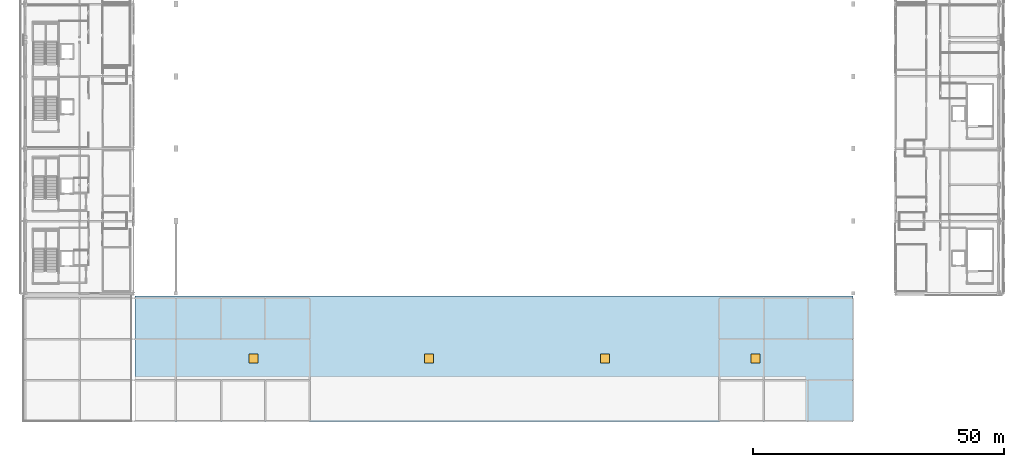
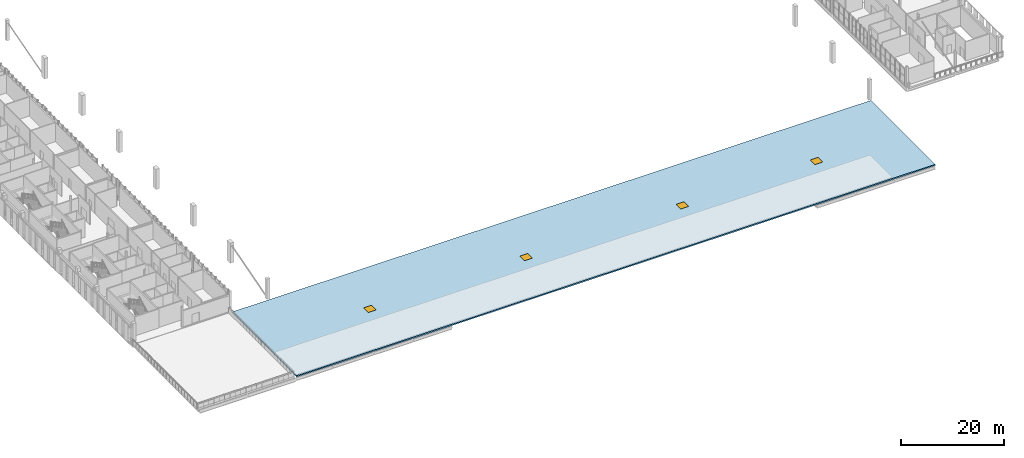
# One storey, part 25 of 51: 4 windows, 1 slab, 4 openings.
"""IFC4 building model written with IfcOpenShell, lengths in metres."""

from ifc_helpers import new_model, si_unit, direction, frame, origin, origin_2d, place, context, subcontext, project, spatial, polyline, rectangle, outline, extrude, material, layer, layer_set, type_object, element, fill, save


model = new_model("IFC4")

# Units and contexts
model_context = context("Model", 3, precision=1e-05, world=origin(), true_north=direction((0.0, 1.0)))
body_context = subcontext(model_context, "Body", "Model", "MODEL_VIEW")
ifc_project = project(units=[si_unit("LENGTHUNIT", "METRE"), si_unit("AREAUNIT", "SQUARE_METRE"), si_unit("VOLUMEUNIT", "CUBIC_METRE"), si_unit("PLANEANGLEUNIT", "RADIAN"), si_unit("MASSUNIT", "GRAM", prefix="KILO")], contexts=[model_context])

# Site, building, storey
site_placement = place(None, origin())
site = spatial("IfcSite", under=ifc_project, at=site_placement, CompositionType="ELEMENT")
building_placement = place(site_placement, origin())
building = spatial("IfcBuilding", under=site, at=building_placement, Name="Koshinbarg Plaza Stadium", CompositionType="ELEMENT")
storey_placement = place(building_placement, frame((0.0, 0.0, 24.60009765625)))
storey = spatial("IfcBuildingStorey", under=building, at=storey_placement, Name="L05", CompositionType="ELEMENT", Elevation=24.60009765625)

# Slab, openings, windows
ifc_material_1 = material(Name="Concrete C35/45", Category="concrete")
ifc_layer = layer(ifc_material_1, 0.300048828125)
ifc_layer_set = layer_set([ifc_layer], Name="Concrete C35/45")
slab_type = type_object("IfcSlabType", Name="SL-FLATROOF-260", PredefinedType="ROOF", material=ifc_layer_set)
slab_placement = place(storey_placement, frame((0.0, 0.0, -0.300048828125)))
slab = element("IfcSlab", 1, at=slab_placement, inside=storey, type_object=slab_type, Name="L05 pavilion flat roof slab RF-V4-MID", PredefinedType="ROOF", context=body_context, shape_type="SweptSolid", body=[
    extrude(outline(polyline([(46.39990234375, 0.0), (189.39990234375, 0.0), (189.39990234375, 24.955078125), (46.39990234375, 24.955078125), (46.39990234375, 0.0)])), origin(), (0.0, 0.0, 1.0), 0.300048828125),
])
opening_1_placement = place(slab_placement, frame((70.0, 12.5, 0.0)))
opening_1 = element("IfcOpeningElement", 2, at=opening_1_placement, cuts=slab, Name="Opening SK01", PredefinedType="OPENING", context=body_context, shape_type="SweptSolid", body=[
    extrude(rectangle(XDim=1.800048828125, YDim=1.800048828125, at=origin_2d()), frame((0.0, 0.0, -0.010009765625)), (0.0, 0.0, 1.0), 0.320068359375),
])
opening_2_placement = place(slab_placement, frame((105.0, 12.5, 0.0)))
opening_2 = element("IfcOpeningElement", 3, at=opening_2_placement, cuts=slab, Name="Opening SK01", PredefinedType="OPENING", context=body_context, shape_type="SweptSolid", body=[
    extrude(rectangle(XDim=1.800048828125, YDim=1.800048828125, at=origin_2d()), frame((0.0, 0.0, -0.010009765625)), (0.0, 0.0, 1.0), 0.320068359375),
])
opening_3_placement = place(slab_placement, frame((140.0, 12.5, 0.0)))
opening_3 = element("IfcOpeningElement", 4, at=opening_3_placement, cuts=slab, Name="Opening SK01", PredefinedType="OPENING", context=body_context, shape_type="SweptSolid", body=[
    extrude(rectangle(XDim=1.800048828125, YDim=1.800048828125, at=origin_2d()), frame((0.0, 0.0, -0.010009765625)), (0.0, 0.0, 1.0), 0.320068359375),
])
opening_4_placement = place(slab_placement, frame((170.0, 12.5, 0.0)))
opening_4 = element("IfcOpeningElement", 5, at=opening_4_placement, cuts=slab, Name="Opening SK01", PredefinedType="OPENING", context=body_context, shape_type="SweptSolid", body=[
    extrude(rectangle(XDim=1.800048828125, YDim=1.800048828125, at=origin_2d()), frame((0.0, 0.0, -0.010009765625)), (0.0, 0.0, 1.0), 0.320068359375),
])
ifc_material_2 = material(Name="Laminated solar-control skylight glazing in aluminium curb", Category="aluminium")
window_type = type_object("IfcWindowType", Name="WN-SKY-1800", PartitioningType="SINGLE_PANEL", PredefinedType="SKYLIGHT", material=ifc_material_2)
window_1_placement = place(opening_1_placement, frame((0.0, 0.0, 0.25)))
window_1 = element("IfcWindow", 6, at=window_1_placement, inside=storey, type_object=window_type, Name="L05 museum skylight 05", OverallHeight=1.800048828125, OverallWidth=1.800048828125, PartitioningType="SINGLE_PANEL", PredefinedType="SKYLIGHT", context=body_context, shape_type="SweptSolid", body=[
    extrude(rectangle(XDim=1.800048828125, YDim=1.800048828125, at=origin_2d()), origin(), (0.0, 0.0, 1.0), 0.050048828125),
])
fill(opening_1, window_1)
window_2_placement = place(opening_2_placement, frame((0.0, 0.0, 0.25)))
window_2 = element("IfcWindow", 7, at=window_2_placement, inside=storey, type_object=window_type, Name="L05 museum skylight 06", OverallHeight=1.800048828125, OverallWidth=1.800048828125, PartitioningType="SINGLE_PANEL", PredefinedType="SKYLIGHT", context=body_context, shape_type="SweptSolid", body=[
    extrude(rectangle(XDim=1.800048828125, YDim=1.800048828125, at=origin_2d()), origin(), (0.0, 0.0, 1.0), 0.050048828125),
])
fill(opening_2, window_2)
window_3_placement = place(opening_3_placement, frame((0.0, 0.0, 0.25)))
window_3 = element("IfcWindow", 8, at=window_3_placement, inside=storey, type_object=window_type, Name="L05 museum skylight 07", OverallHeight=1.800048828125, OverallWidth=1.800048828125, PartitioningType="SINGLE_PANEL", PredefinedType="SKYLIGHT", context=body_context, shape_type="SweptSolid", body=[
    extrude(rectangle(XDim=1.800048828125, YDim=1.800048828125, at=origin_2d()), origin(), (0.0, 0.0, 1.0), 0.050048828125),
])
fill(opening_3, window_3)
window_4_placement = place(opening_4_placement, frame((0.0, 0.0, 0.25)))
window_4 = element("IfcWindow", 9, at=window_4_placement, inside=storey, type_object=window_type, Name="L05 museum skylight 08", OverallHeight=1.800048828125, OverallWidth=1.800048828125, PartitioningType="SINGLE_PANEL", PredefinedType="SKYLIGHT", context=body_context, shape_type="SweptSolid", body=[
    extrude(rectangle(XDim=1.800048828125, YDim=1.800048828125, at=origin_2d()), origin(), (0.0, 0.0, 1.0), 0.050048828125),
])
fill(opening_4, window_4)

save(model, "model.ifc")
